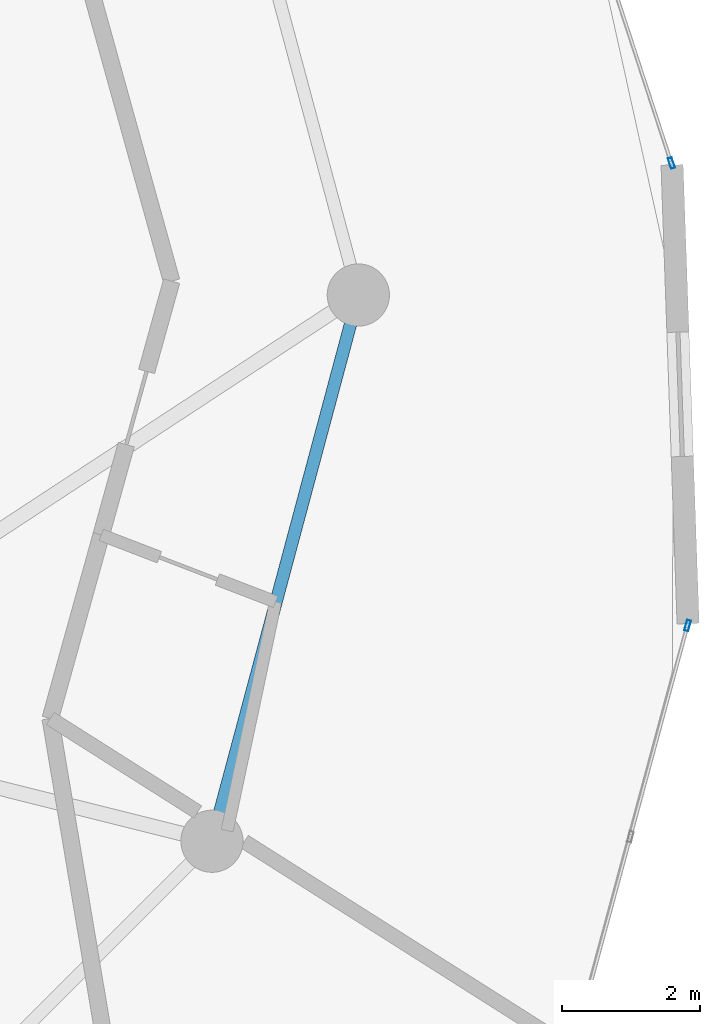
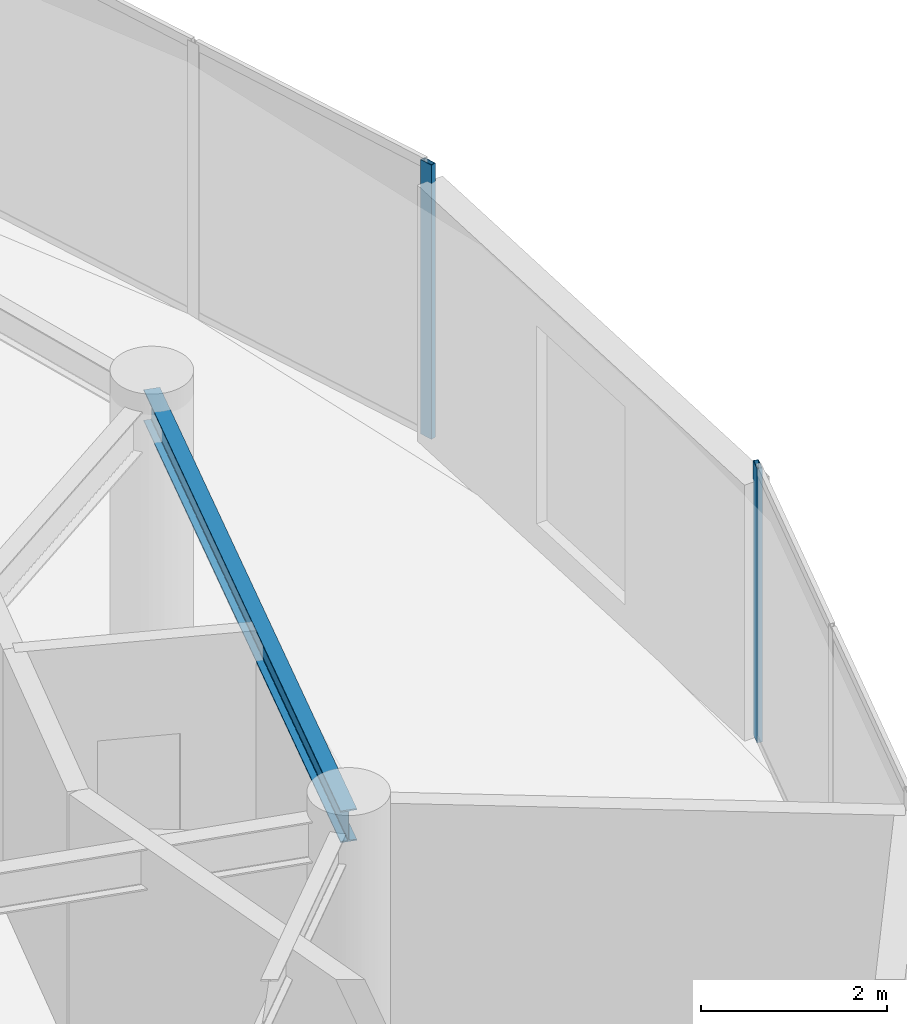
# One storey, part 9 of 18: 2 members, 1 beam, 2 elements without a shape of their own.
"""IFC4 building model written with IfcOpenShell, lengths in metres."""

from ifc_helpers import new_model, si_unit, direction, frame, origin, origin_2d, place, context, subcontext, project, spatial, hollow_rectangle, i_section, extrude, source, transform, mapped, material, layer, layer_set, material_profile, profile_set, type_object, element, aggregate, save


model = new_model("IFC4")

# Units and contexts
model_context = context("Model", 3, precision=1e-05, world=origin(), true_north=direction((0.0, 1.0)))
body_context = subcontext(model_context, "Body", "Model", "MODEL_VIEW")
ifc_project = project(units=[si_unit("LENGTHUNIT", "METRE"), si_unit("AREAUNIT", "SQUARE_METRE"), si_unit("VOLUMEUNIT", "CUBIC_METRE"), si_unit("PLANEANGLEUNIT", "RADIAN"), si_unit("MASSUNIT", "GRAM", prefix="KILO")], contexts=[model_context])

# Site, building, storey
site_placement = place(None, origin())
site = spatial("IfcSite", under=ifc_project, at=site_placement, CompositionType="ELEMENT")
building_placement = place(site_placement, origin())
building = spatial("IfcBuilding", under=site, at=building_placement, Name="Solvirekh Grand Hotel", CompositionType="ELEMENT")
storey_placement = place(building_placement, frame((0.0, 0.0, 202.0)))
storey = spatial("IfcBuildingStorey", under=building, at=storey_placement, Name="L52", CompositionType="ELEMENT", Elevation=202.0)

# Beam
ifc_material_1 = material(Name="Steel S355", Category="steel")
ifc_material_profile_1 = material_profile(ifc_material_1, i_section(OverallWidth=0.180908203125, OverallDepth=0.4169921875, WebThickness=0.010009765625, FlangeThickness=0.01611328125, FilletRadius=0.011962890625, at=origin_2d()), Name="W410X85")
ifc_profile_set_1 = profile_set([ifc_material_profile_1], Name="Steel S355")
beam_type = type_object("IfcBeamType", Name="Spandrel_Ring_W410", PredefinedType="SPANDREL", material=ifc_profile_set_1)
beam_placement = place(storey_placement, frame((13.68310546875, -7.89990234375, 3.152099609375), z_axis=(0.258838541915, 0.965920601923, 0.0), x_axis=(-0.965920601923, 0.258838541915, 0.0)))
element("IfcBeam", 1, at=beam_placement, inside=storey, type_object=beam_type, Name="L52 perimeter spandrel beam 12", PredefinedType="SPANDREL", context=body_context, shape_type="SweptSolid", body=[
    extrude(i_section(OverallWidth=0.180908203125, OverallDepth=0.4169921875, WebThickness=0.010009765625, FlangeThickness=0.01611328125, FilletRadius=0.011962890625, at=origin_2d()), origin(), (0.0, 0.0, 1.0), 8.1787109375),
])

# Curtain wall, member
ifc_material_2 = material(Name="Anodized Bronze Aluminium 6063-T6", Category="aluminium")
ifc_layer = layer(ifc_material_2, 0.159912109375)
ifc_layer_set = layer_set([ifc_layer], Name="Anodized Bronze Aluminium 6063-T6")
curtain_wall_type = type_object("IfcCurtainWallType", Name="CW_Sys4_HighZoneFlushBronzeCW", PredefinedType="NOTDEFINED", material=ifc_layer_set)
curtain_wall_1_placement = place(storey_placement, origin())
curtain_wall_1 = element("IfcCurtainWall", 2, at=curtain_wall_1_placement, inside=storey, type_object=curtain_wall_type, Name="L52 unitised bronze-glass curtain wall CW-L52-C03", PredefinedType="NOTDEFINED")
ifc_material_profile_2 = material_profile(ifc_material_2, hollow_rectangle(XDim=0.06005859375, YDim=0.159912109375, WallThickness=0.0048828125, at=origin_2d()), Name="ALU RHS 160X60X5")
ifc_profile_set_2 = profile_set([ifc_material_profile_2], Name="Anodized Bronze Aluminium 6063-T6")
member_type = type_object("IfcMemberType", Name="CWMullion_Sys4", PredefinedType="MULLION", material=ifc_profile_set_2)
shared_shape = source(origin(), body_context, "Body", "SweptSolid", [
    extrude(hollow_rectangle(XDim=0.06005859375, YDim=0.159912109375, WallThickness=0.0048828125, at=origin_2d()), origin(), (0.0, 0.0, 1.0), 3.60009765625),
])
member_1_placement = place(storey_placement, frame((20.562255859375, -4.781005859375, 0.0), z_axis=(0.0, 0.0, 1.0), x_axis=(-0.965285580068, 0.26119676283, 0.0)))
member_1 = element("IfcMember", 3, at=member_1_placement, type_object=member_type, Name="U04 mullion 3", PredefinedType="MULLION", context=body_context, shape_type="MappedRepresentation", body=[
    mapped(shared_shape, transform((0.0, 0.0, 0.0), x_axis=(1.0, 0.0, 0.0), y_axis=(0.0, 1.0, 0.0), z_axis=(0.0, 0.0, 1.0), scale=1.0)),
])
aggregate(curtain_wall_1, [member_1])

curtain_wall_2_placement = place(storey_placement, origin())
curtain_wall_2 = element("IfcCurtainWall", 4, at=curtain_wall_2_placement, inside=storey, type_object=curtain_wall_type, Name="L52 unitised bronze-glass curtain wall CW-L52-C05", PredefinedType="NOTDEFINED")
member_2_placement = place(storey_placement, frame((20.32861328125, 1.908447265625, 0.0), z_axis=(0.0, 0.0, 1.0), x_axis=(-0.950378909882, -0.311094724563, 0.0)))
member_2 = element("IfcMember", 5, at=member_2_placement, type_object=member_type, Name="U04 mullion 1", PredefinedType="MULLION", context=body_context, shape_type="MappedRepresentation", body=[
    mapped(shared_shape, transform((0.0, 0.0, 0.0), x_axis=(1.0, 0.0, 0.0), y_axis=(0.0, 1.0, 0.0), z_axis=(0.0, 0.0, 1.0), scale=1.0)),
])
aggregate(curtain_wall_2, [member_2])

save(model, "model.ifc")
